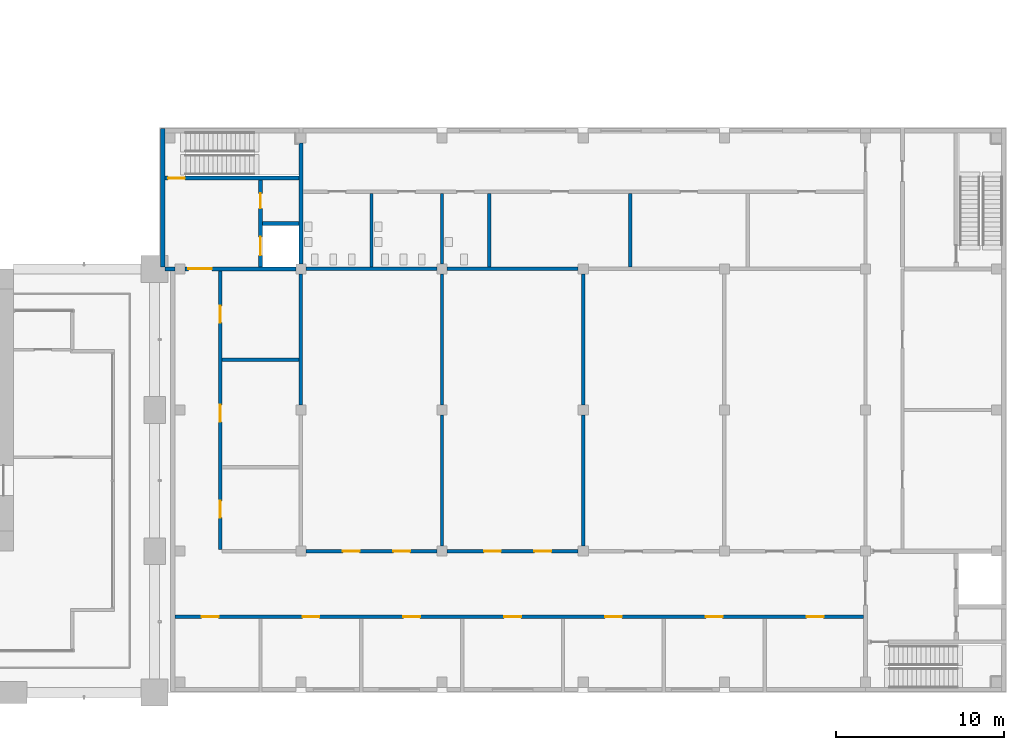
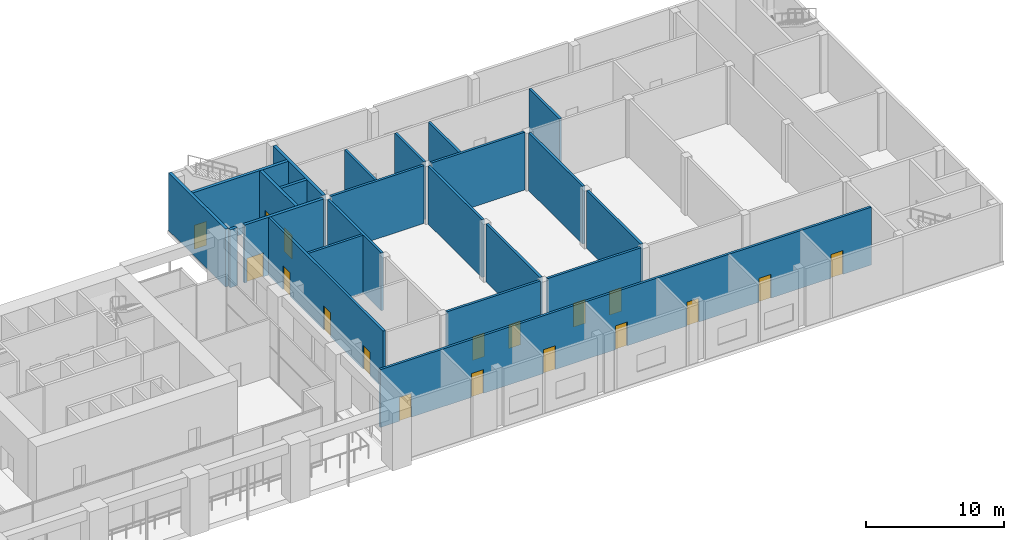
# One storey, part 20 of 33: 23 walls, 18 doors, 18 openings.
"""IFC4 building model written with IfcOpenShell, lengths in metres."""

from ifc_helpers import new_model, si_unit, direction, frame, frame_2d, origin, place, context, subcontext, project, spatial, rectangle, extrude, material, layer, layer_set, type_object, element, fill, save


model = new_model("IFC4")

# Units and contexts
model_context = context("Model", 3, precision=1e-05, world=origin(), true_north=direction((0.0, 1.0)))
body_context = subcontext(model_context, "Body", "Model", "MODEL_VIEW")
ifc_project = project(units=[si_unit("LENGTHUNIT", "METRE"), si_unit("AREAUNIT", "SQUARE_METRE"), si_unit("VOLUMEUNIT", "CUBIC_METRE"), si_unit("PLANEANGLEUNIT", "RADIAN"), si_unit("MASSUNIT", "GRAM", prefix="KILO")], contexts=[model_context])

# Site, building, storey
site_placement = place(None, origin())
site = spatial("IfcSite", under=ifc_project, at=site_placement, CompositionType="ELEMENT")
building_placement = place(site_placement, origin())
building = spatial("IfcBuilding", under=site, at=building_placement, Name="Vermilion Gate Residences", CompositionType="ELEMENT")
storey_placement = place(building_placement, frame((0.0, 0.0, 14.39990234375)))
storey = spatial("IfcBuildingStorey", under=building, at=storey_placement, Name="L02", CompositionType="ELEMENT", Elevation=14.39990234375)

# Wall, openings, doors
ifc_material_1 = material(Name="Masonry", Category="masonry")
ifc_layer_1 = layer(ifc_material_1, 0.199951171875)
ifc_layer_set_1 = layer_set([ifc_layer_1], Name="PARTITION 200 MASONRY EI 60 (MARKET HALL)")
wall_type_1 = type_object("IfcWallType", Name="PARTITION 200 MASONRY EI 60 (MARKET HALL)", PredefinedType="PARTITIONING", material=ifc_layer_set_1)
wall_1_placement = place(storey_placement, frame((68.39990234375, 4.5, 0.0), z_axis=(0.0, 0.0, 1.0), x_axis=(1.0, 0.0, 0.0)))
wall_1 = element("IfcWall", 1, at=wall_1_placement, inside=storey, type_object=wall_type_1, Name="Partition wall L02-8", PredefinedType="PARTITIONING", context=body_context, shape_type="SweptSolid", body=[
    extrude(rectangle(XDim=40.97509765625, YDim=0.199951171875, at=frame_2d((20.487548828125, 0.0))), origin(), (0.0, 0.0, 1.0), 5.10009765625),
])
opening_1_placement = place(wall_1_placement, frame((1.60009765625, 0.0, 0.0)))
opening_1 = element("IfcOpeningElement", 2, at=opening_1_placement, cuts=wall_1, Name="Opening DH02002", PredefinedType="OPENING", context=body_context, shape_type="SweptSolid", body=[
    extrude(rectangle(XDim=1.0, YDim=2.10009765625, at=frame_2d((0.5, 1.050048828125))), frame((0.0, 0.10986328125, 0.0), z_axis=(0.0, -1.0, 0.0), x_axis=(1.0, 0.0, 0.0)), (0.0, 0.0, 1.0), 0.219970703125),
])
opening_2_placement = place(wall_1_placement, frame((7.60009765625, 0.0, 0.0)))
opening_2 = element("IfcOpeningElement", 3, at=opening_2_placement, cuts=wall_1, Name="Opening DH02003", PredefinedType="OPENING", context=body_context, shape_type="SweptSolid", body=[
    extrude(rectangle(XDim=1.0, YDim=2.10009765625, at=frame_2d((0.5, 1.050048828125))), frame((0.0, 0.10986328125, 0.0), z_axis=(0.0, -1.0, 0.0), x_axis=(1.0, 0.0, 0.0)), (0.0, 0.0, 1.0), 0.219970703125),
])
opening_3_placement = place(wall_1_placement, frame((13.60009765625, 0.0, 0.0)))
opening_3 = element("IfcOpeningElement", 4, at=opening_3_placement, cuts=wall_1, Name="Opening DH02004", PredefinedType="OPENING", context=body_context, shape_type="SweptSolid", body=[
    extrude(rectangle(XDim=1.0, YDim=2.10009765625, at=frame_2d((0.5, 1.050048828125))), frame((0.0, 0.10986328125, 0.0), z_axis=(0.0, -1.0, 0.0), x_axis=(1.0, 0.0, 0.0)), (0.0, 0.0, 1.0), 0.219970703125),
])
opening_4_placement = place(wall_1_placement, frame((19.60009765625, 0.0, 0.0)))
opening_4 = element("IfcOpeningElement", 5, at=opening_4_placement, cuts=wall_1, Name="Opening DH02005", PredefinedType="OPENING", context=body_context, shape_type="SweptSolid", body=[
    extrude(rectangle(XDim=1.0, YDim=2.10009765625, at=frame_2d((0.5, 1.050048828125))), frame((0.0, 0.10986328125, 0.0), z_axis=(0.0, -1.0, 0.0), x_axis=(1.0, 0.0, 0.0)), (0.0, 0.0, 1.0), 0.219970703125),
])
opening_5_placement = place(wall_1_placement, frame((25.60009765625, 0.0, 0.0)))
opening_5 = element("IfcOpeningElement", 6, at=opening_5_placement, cuts=wall_1, Name="Opening DH02006", PredefinedType="OPENING", context=body_context, shape_type="SweptSolid", body=[
    extrude(rectangle(XDim=1.0, YDim=2.10009765625, at=frame_2d((0.5, 1.050048828125))), frame((0.0, 0.10986328125, 0.0), z_axis=(0.0, -1.0, 0.0), x_axis=(1.0, 0.0, 0.0)), (0.0, 0.0, 1.0), 0.219970703125),
])
opening_6_placement = place(wall_1_placement, frame((31.60009765625, 0.0, 0.0)))
opening_6 = element("IfcOpeningElement", 7, at=opening_6_placement, cuts=wall_1, Name="Opening DH02007", PredefinedType="OPENING", context=body_context, shape_type="SweptSolid", body=[
    extrude(rectangle(XDim=1.0, YDim=2.10009765625, at=frame_2d((0.5, 1.050048828125))), frame((0.0, 0.10986328125, 0.0), z_axis=(0.0, -1.0, 0.0), x_axis=(1.0, 0.0, 0.0)), (0.0, 0.0, 1.0), 0.219970703125),
])
opening_7_placement = place(wall_1_placement, frame((37.60009765625, 0.0, 0.0)))
opening_7 = element("IfcOpeningElement", 8, at=opening_7_placement, cuts=wall_1, Name="Opening DH02008", PredefinedType="OPENING", context=body_context, shape_type="SweptSolid", body=[
    extrude(rectangle(XDim=1.0, YDim=2.10009765625, at=frame_2d((0.5, 1.050048828125))), frame((0.0, 0.10986328125, 0.0), z_axis=(0.0, -1.0, 0.0), x_axis=(1.0, 0.0, 0.0)), (0.0, 0.0, 1.0), 0.219970703125),
])
ifc_material_2 = material(Name="Steel", Category="steel")
door_type_1 = type_object("IfcDoorType", Name="FIRE DOOR FD30 1000 X 2100 (MARKET HALL)", OperationType="SINGLE_SWING_LEFT", PredefinedType="DOOR", material=ifc_material_2)
door_1_placement = place(opening_1_placement, frame((1.0, 0.0, 0.0), z_axis=(0.0, 0.0, 1.0), x_axis=(-1.0, 0.0, 0.0)))
door_1 = element("IfcDoor", 9, at=door_1_placement, inside=storey, type_object=door_type_1, Name="Fire door DH02002", OperationType="SINGLE_SWING_RIGHT", OverallHeight=2.10009765625, OverallWidth=1.0, PredefinedType="DOOR", context=body_context, shape_type="SweptSolid", body=[
    extrude(rectangle(XDim=1.0, YDim=2.10009765625, at=frame_2d((0.5, 1.050048828125))), frame((0.0, 0.02490234375, 0.0), z_axis=(0.0, -1.0, 0.0), x_axis=(1.0, 0.0, 0.0)), (0.0, 0.0, 1.0), 0.050048828125),
])
fill(opening_1, door_1)
door_2_placement = place(opening_2_placement, frame((1.0, 0.0, 0.0), z_axis=(0.0, 0.0, 1.0), x_axis=(-1.0, 0.0, 0.0)))
door_2 = element("IfcDoor", 10, at=door_2_placement, inside=storey, type_object=door_type_1, Name="Fire door DH02003", OperationType="SINGLE_SWING_RIGHT", OverallHeight=2.10009765625, OverallWidth=1.0, PredefinedType="DOOR", context=body_context, shape_type="SweptSolid", body=[
    extrude(rectangle(XDim=1.0, YDim=2.10009765625, at=frame_2d((0.5, 1.050048828125))), frame((0.0, 0.02490234375, 0.0), z_axis=(0.0, -1.0, 0.0), x_axis=(1.0, 0.0, 0.0)), (0.0, 0.0, 1.0), 0.050048828125),
])
fill(opening_2, door_2)
door_3_placement = place(opening_3_placement, frame((1.0, 0.0, 0.0), z_axis=(0.0, 0.0, 1.0), x_axis=(-1.0, 0.0, 0.0)))
door_3 = element("IfcDoor", 11, at=door_3_placement, inside=storey, type_object=door_type_1, Name="Fire door DH02004", OperationType="SINGLE_SWING_RIGHT", OverallHeight=2.10009765625, OverallWidth=1.0, PredefinedType="DOOR", context=body_context, shape_type="SweptSolid", body=[
    extrude(rectangle(XDim=1.0, YDim=2.10009765625, at=frame_2d((0.5, 1.050048828125))), frame((0.0, 0.02490234375, 0.0), z_axis=(0.0, -1.0, 0.0), x_axis=(1.0, 0.0, 0.0)), (0.0, 0.0, 1.0), 0.050048828125),
])
fill(opening_3, door_3)
door_4_placement = place(opening_4_placement, frame((1.0, 0.0, 0.0), z_axis=(0.0, 0.0, 1.0), x_axis=(-1.0, 0.0, 0.0)))
door_4 = element("IfcDoor", 12, at=door_4_placement, inside=storey, type_object=door_type_1, Name="Fire door DH02005", OperationType="SINGLE_SWING_RIGHT", OverallHeight=2.10009765625, OverallWidth=1.0, PredefinedType="DOOR", context=body_context, shape_type="SweptSolid", body=[
    extrude(rectangle(XDim=1.0, YDim=2.10009765625, at=frame_2d((0.5, 1.050048828125))), frame((0.0, 0.02490234375, 0.0), z_axis=(0.0, -1.0, 0.0), x_axis=(1.0, 0.0, 0.0)), (0.0, 0.0, 1.0), 0.050048828125),
])
fill(opening_4, door_4)
door_5_placement = place(opening_5_placement, frame((1.0, 0.0, 0.0), z_axis=(0.0, 0.0, 1.0), x_axis=(-1.0, 0.0, 0.0)))
door_5 = element("IfcDoor", 13, at=door_5_placement, inside=storey, type_object=door_type_1, Name="Fire door DH02006", OperationType="SINGLE_SWING_RIGHT", OverallHeight=2.10009765625, OverallWidth=1.0, PredefinedType="DOOR", context=body_context, shape_type="SweptSolid", body=[
    extrude(rectangle(XDim=1.0, YDim=2.10009765625, at=frame_2d((0.5, 1.050048828125))), frame((0.0, 0.02490234375, 0.0), z_axis=(0.0, -1.0, 0.0), x_axis=(1.0, 0.0, 0.0)), (0.0, 0.0, 1.0), 0.050048828125),
])
fill(opening_5, door_5)
door_6_placement = place(opening_6_placement, frame((1.0, 0.0, 0.0), z_axis=(0.0, 0.0, 1.0), x_axis=(-1.0, 0.0, 0.0)))
door_6 = element("IfcDoor", 14, at=door_6_placement, inside=storey, type_object=door_type_1, Name="Fire door DH02007", OperationType="SINGLE_SWING_RIGHT", OverallHeight=2.10009765625, OverallWidth=1.0, PredefinedType="DOOR", context=body_context, shape_type="SweptSolid", body=[
    extrude(rectangle(XDim=1.0, YDim=2.10009765625, at=frame_2d((0.5, 1.050048828125))), frame((0.0, 0.02490234375, 0.0), z_axis=(0.0, -1.0, 0.0), x_axis=(1.0, 0.0, 0.0)), (0.0, 0.0, 1.0), 0.050048828125),
])
fill(opening_6, door_6)
door_7_placement = place(opening_7_placement, frame((1.0, 0.0, 0.0), z_axis=(0.0, 0.0, 1.0), x_axis=(-1.0, 0.0, 0.0)))
door_7 = element("IfcDoor", 15, at=door_7_placement, inside=storey, type_object=door_type_1, Name="Fire door DH02008", OperationType="SINGLE_SWING_LEFT", OverallHeight=2.10009765625, OverallWidth=1.0, PredefinedType="DOOR", context=body_context, shape_type="SweptSolid", body=[
    extrude(rectangle(XDim=1.0, YDim=2.10009765625, at=frame_2d((0.5, 1.050048828125))), frame((0.0, 0.02490234375, 0.0), z_axis=(0.0, -1.0, 0.0), x_axis=(1.0, 0.0, 0.0)), (0.0, 0.0, 1.0), 0.050048828125),
])
fill(opening_7, door_7)

wall_2_placement = place(storey_placement, frame((76.199951171875, 8.39990234375, 0.0), z_axis=(0.0, 0.0, 1.0), x_axis=(1.0, 0.0, 0.0)))
wall_2 = element("IfcWall", 16, at=wall_2_placement, inside=storey, type_object=wall_type_1, Name="Partition wall L02-11", PredefinedType="PARTITIONING", context=body_context, shape_type="SweptSolid", body=[
    extrude(rectangle(XDim=7.800048828125, YDim=0.199951171875, at=frame_2d((3.89990234375, 0.0))), origin(), (0.0, 0.0, 1.0), 5.10009765625),
])
opening_8_placement = place(wall_2_placement, frame((2.199951171875, 0.0, 0.0)))
opening_8 = element("IfcOpeningElement", 17, at=opening_8_placement, cuts=wall_2, Name="Opening DH02009", PredefinedType="OPENING", context=body_context, shape_type="SweptSolid", body=[
    extrude(rectangle(XDim=1.0, YDim=2.10009765625, at=frame_2d((0.5, 1.050048828125))), frame((0.0, 0.10986328125, 0.0), z_axis=(0.0, -1.0, 0.0), x_axis=(1.0, 0.0, 0.0)), (0.0, 0.0, 1.0), 0.219970703125),
])
opening_9_placement = place(wall_2_placement, frame((5.199951171875, 0.0, 0.0)))
opening_9 = element("IfcOpeningElement", 18, at=opening_9_placement, cuts=wall_2, Name="Opening DH02010", PredefinedType="OPENING", context=body_context, shape_type="SweptSolid", body=[
    extrude(rectangle(XDim=1.0, YDim=2.10009765625, at=frame_2d((0.5, 1.050048828125))), frame((0.0, 0.10986328125, 0.0), z_axis=(0.0, -1.0, 0.0), x_axis=(1.0, 0.0, 0.0)), (0.0, 0.0, 1.0), 0.219970703125),
])
door_8_placement = place(opening_8_placement, frame((1.0, 0.0, 0.0), z_axis=(0.0, 0.0, 1.0), x_axis=(-1.0, 0.0, 0.0)))
door_8 = element("IfcDoor", 19, at=door_8_placement, inside=storey, type_object=door_type_1, Name="Fire door DH02009", OperationType="SINGLE_SWING_RIGHT", OverallHeight=2.10009765625, OverallWidth=1.0, PredefinedType="DOOR", context=body_context, shape_type="SweptSolid", body=[
    extrude(rectangle(XDim=1.0, YDim=2.10009765625, at=frame_2d((0.5, 1.050048828125))), frame((0.0, 0.02490234375, 0.0), z_axis=(0.0, -1.0, 0.0), x_axis=(1.0, 0.0, 0.0)), (0.0, 0.0, 1.0), 0.050048828125),
])
fill(opening_8, door_8)
door_9_placement = place(opening_9_placement, frame((1.0, 0.0, 0.0), z_axis=(0.0, 0.0, 1.0), x_axis=(-1.0, 0.0, 0.0)))
door_9 = element("IfcDoor", 20, at=door_9_placement, inside=storey, type_object=door_type_1, Name="Fire door DH02010", OperationType="SINGLE_SWING_LEFT", OverallHeight=2.10009765625, OverallWidth=1.0, PredefinedType="DOOR", context=body_context, shape_type="SweptSolid", body=[
    extrude(rectangle(XDim=1.0, YDim=2.10009765625, at=frame_2d((0.5, 1.050048828125))), frame((0.0, 0.02490234375, 0.0), z_axis=(0.0, -1.0, 0.0), x_axis=(1.0, 0.0, 0.0)), (0.0, 0.0, 1.0), 0.050048828125),
])
fill(opening_9, door_9)

wall_3_placement = place(storey_placement, frame((84.60009765625, 8.39990234375, 0.0), z_axis=(0.0, 0.0, 1.0), x_axis=(1.0, 0.0, 0.0)))
wall_3 = element("IfcWall", 21, at=wall_3_placement, inside=storey, type_object=wall_type_1, Name="Partition wall L02-12", PredefinedType="PARTITIONING", context=body_context, shape_type="SweptSolid", body=[
    extrude(rectangle(XDim=7.7998046875, YDim=0.199951171875, at=frame_2d((3.89990234375, 0.0))), origin(), (0.0, 0.0, 1.0), 5.10009765625),
])
opening_10_placement = place(wall_3_placement, frame((2.199951171875, 0.0, 0.0)))
opening_10 = element("IfcOpeningElement", 22, at=opening_10_placement, cuts=wall_3, Name="Opening DH02011", PredefinedType="OPENING", context=body_context, shape_type="SweptSolid", body=[
    extrude(rectangle(XDim=1.0, YDim=2.10009765625, at=frame_2d((0.5, 1.050048828125))), frame((0.0, 0.10986328125, 0.0), z_axis=(0.0, -1.0, 0.0), x_axis=(1.0, 0.0, 0.0)), (0.0, 0.0, 1.0), 0.219970703125),
])
opening_11_placement = place(wall_3_placement, frame((5.199951171875, 0.0, 0.0)))
opening_11 = element("IfcOpeningElement", 23, at=opening_11_placement, cuts=wall_3, Name="Opening DH02012", PredefinedType="OPENING", context=body_context, shape_type="SweptSolid", body=[
    extrude(rectangle(XDim=1.0, YDim=2.10009765625, at=frame_2d((0.5, 1.050048828125))), frame((0.0, 0.10986328125, 0.0), z_axis=(0.0, -1.0, 0.0), x_axis=(1.0, 0.0, 0.0)), (0.0, 0.0, 1.0), 0.219970703125),
])
door_10_placement = place(opening_10_placement, frame((1.0, 0.0, 0.0), z_axis=(0.0, 0.0, 1.0), x_axis=(-1.0, 0.0, 0.0)))
door_10 = element("IfcDoor", 24, at=door_10_placement, inside=storey, type_object=door_type_1, Name="Fire door DH02011", OperationType="SINGLE_SWING_RIGHT", OverallHeight=2.10009765625, OverallWidth=1.0, PredefinedType="DOOR", context=body_context, shape_type="SweptSolid", body=[
    extrude(rectangle(XDim=1.0, YDim=2.10009765625, at=frame_2d((0.5, 1.050048828125))), frame((0.0, 0.02490234375, 0.0), z_axis=(0.0, -1.0, 0.0), x_axis=(1.0, 0.0, 0.0)), (0.0, 0.0, 1.0), 0.050048828125),
])
fill(opening_10, door_10)
door_11_placement = place(opening_11_placement, frame((1.0, 0.0, 0.0), z_axis=(0.0, 0.0, 1.0), x_axis=(-1.0, 0.0, 0.0)))
door_11 = element("IfcDoor", 25, at=door_11_placement, inside=storey, type_object=door_type_1, Name="Fire door DH02012", OperationType="SINGLE_SWING_LEFT", OverallHeight=2.10009765625, OverallWidth=1.0, PredefinedType="DOOR", context=body_context, shape_type="SweptSolid", body=[
    extrude(rectangle(XDim=1.0, YDim=2.10009765625, at=frame_2d((0.5, 1.050048828125))), frame((0.0, 0.02490234375, 0.0), z_axis=(0.0, -1.0, 0.0), x_axis=(1.0, 0.0, 0.0)), (0.0, 0.0, 1.0), 0.050048828125),
])
fill(opening_11, door_11)

# Walls
wall_4_placement = place(storey_placement, frame((71.199951171875, 19.800048828125, 0.0), z_axis=(0.0, 0.0, 1.0), x_axis=(1.0, 0.0, 0.0)))
element("IfcWall", 26, at=wall_4_placement, inside=storey, type_object=wall_type_1, Name="Partition wall L02-18", PredefinedType="PARTITIONING", context=body_context, shape_type="SweptSolid", body=[
    extrude(rectangle(XDim=4.60009765625, YDim=0.199951171875, at=frame_2d((2.300048828125, 0.0))), origin(), (0.0, 0.0, 1.0), 5.10009765625),
])
wall_5_placement = place(storey_placement, frame((76.199951171875, 25.199951171875, 0.0), z_axis=(0.0, 0.0, 1.0), x_axis=(1.0, 0.0, 0.0)))
element("IfcWall", 27, at=wall_5_placement, inside=storey, type_object=wall_type_1, Name="Partition wall L02-21", PredefinedType="PARTITIONING", context=body_context, shape_type="SweptSolid", body=[
    extrude(rectangle(XDim=7.800048828125, YDim=0.199951171875, at=frame_2d((3.89990234375, 0.0))), origin(), (0.0, 0.0, 1.0), 5.10009765625),
])
wall_6_placement = place(storey_placement, frame((84.60009765625, 25.199951171875, 0.0), z_axis=(0.0, 0.0, 1.0), x_axis=(1.0, 0.0, 0.0)))
element("IfcWall", 28, at=wall_6_placement, inside=storey, type_object=wall_type_1, Name="Partition wall L02-22", PredefinedType="PARTITIONING", context=body_context, shape_type="SweptSolid", body=[
    extrude(rectangle(XDim=7.7998046875, YDim=0.199951171875, at=frame_2d((3.89990234375, 0.0))), origin(), (0.0, 0.0, 1.0), 5.10009765625),
])

# Wall, openings, doors
wall_7_placement = place(storey_placement, frame((71.10009765625, 8.5, 0.0), z_axis=(0.0, 0.0, 1.0), x_axis=(0.0, 1.0, 0.0)))
wall_7 = element("IfcWall", 29, at=wall_7_placement, inside=storey, type_object=wall_type_1, Name="Partition wall L02-38", PredefinedType="PARTITIONING", context=body_context, shape_type="SweptSolid", body=[
    extrude(rectangle(XDim=16.574951171875, YDim=0.199951171875, at=frame_2d((8.28759765625, 0.0))), origin(), (0.0, 0.0, 1.0), 5.10009765625),
])
opening_12_placement = place(wall_7_placement, frame((1.89990234375, 0.0, 0.0)))
opening_12 = element("IfcOpeningElement", 30, at=opening_12_placement, cuts=wall_7, Name="Opening DH02027", PredefinedType="OPENING", context=body_context, shape_type="SweptSolid", body=[
    extrude(rectangle(XDim=1.0, YDim=2.10009765625, at=frame_2d((0.5, 1.050048828125))), frame((0.0, 0.10986328125, 0.0), z_axis=(0.0, -1.0, 0.0), x_axis=(1.0, 0.0, 0.0)), (0.0, 0.0, 1.0), 0.219970703125),
])
opening_13_placement = place(wall_7_placement, frame((7.60009765625, 0.0, 0.0)))
opening_13 = element("IfcOpeningElement", 31, at=opening_13_placement, cuts=wall_7, Name="Opening DH02028", PredefinedType="OPENING", context=body_context, shape_type="SweptSolid", body=[
    extrude(rectangle(XDim=1.0, YDim=2.10009765625, at=frame_2d((0.5, 1.050048828125))), frame((0.0, 0.10986328125, 0.0), z_axis=(0.0, -1.0, 0.0), x_axis=(1.0, 0.0, 0.0)), (0.0, 0.0, 1.0), 0.219970703125),
])
opening_14_placement = place(wall_7_placement, frame((13.5, 0.0, 0.0)))
opening_14 = element("IfcOpeningElement", 32, at=opening_14_placement, cuts=wall_7, Name="Opening DH02029", PredefinedType="OPENING", context=body_context, shape_type="SweptSolid", body=[
    extrude(rectangle(XDim=1.0, YDim=2.10009765625, at=frame_2d((0.5, 1.050048828125))), frame((0.0, 0.10986328125, 0.0), z_axis=(0.0, -1.0, 0.0), x_axis=(1.0, 0.0, 0.0)), (0.0, 0.0, 1.0), 0.219970703125),
])
door_12_placement = place(opening_12_placement, frame((1.0, 0.0, 0.0), z_axis=(0.0, 0.0, 1.0), x_axis=(-1.0, 0.0, 0.0)))
door_12 = element("IfcDoor", 33, at=door_12_placement, inside=storey, type_object=door_type_1, Name="Fire door DH02027", OperationType="SINGLE_SWING_RIGHT", OverallHeight=2.10009765625, OverallWidth=1.0, PredefinedType="DOOR", context=body_context, shape_type="SweptSolid", body=[
    extrude(rectangle(XDim=1.0, YDim=2.10009765625, at=frame_2d((0.5, 1.050048828125))), frame((0.0, 0.02490234375, 0.0), z_axis=(0.0, -1.0, 0.0), x_axis=(1.0, 0.0, 0.0)), (0.0, 0.0, 1.0), 0.050048828125),
])
fill(opening_12, door_12)
door_13_placement = place(opening_13_placement, frame((1.0, 0.0, 0.0), z_axis=(0.0, 0.0, 1.0), x_axis=(-1.0, 0.0, 0.0)))
door_13 = element("IfcDoor", 34, at=door_13_placement, inside=storey, type_object=door_type_1, Name="Fire door DH02028", OperationType="SINGLE_SWING_LEFT", OverallHeight=2.10009765625, OverallWidth=1.0, PredefinedType="DOOR", context=body_context, shape_type="SweptSolid", body=[
    extrude(rectangle(XDim=1.0, YDim=2.10009765625, at=frame_2d((0.5, 1.050048828125))), frame((0.0, 0.02490234375, 0.0), z_axis=(0.0, -1.0, 0.0), x_axis=(1.0, 0.0, 0.0)), (0.0, 0.0, 1.0), 0.050048828125),
])
fill(opening_13, door_13)
door_14_placement = place(opening_14_placement, frame((1.0, 0.0, 0.0), z_axis=(0.0, 0.0, 1.0), x_axis=(-1.0, 0.0, 0.0)))
door_14 = element("IfcDoor", 35, at=door_14_placement, inside=storey, type_object=door_type_1, Name="Fire door DH02029", OperationType="SINGLE_SWING_LEFT", OverallHeight=2.10009765625, OverallWidth=1.0, PredefinedType="DOOR", context=body_context, shape_type="SweptSolid", body=[
    extrude(rectangle(XDim=1.0, YDim=2.10009765625, at=frame_2d((0.5, 1.050048828125))), frame((0.0, 0.02490234375, 0.0), z_axis=(0.0, -1.0, 0.0), x_axis=(1.0, 0.0, 0.0)), (0.0, 0.0, 1.0), 0.050048828125),
])
fill(opening_14, door_14)

# Walls
wall_8_placement = place(storey_placement, frame((75.89990234375, 17.10009765625, 0.0), z_axis=(0.0, 0.0, 1.0), x_axis=(0.0, 1.0, 0.0)))
element("IfcWall", 36, at=wall_8_placement, inside=storey, type_object=wall_type_1, Name="Partition wall L02-42", PredefinedType="PARTITIONING", context=body_context, shape_type="SweptSolid", body=[
    extrude(rectangle(XDim=7.7998046875, YDim=0.199951171875, at=frame_2d((3.89990234375, 0.0))), origin(), (0.0, 0.0, 1.0), 5.10009765625),
])
wall_9_placement = place(storey_placement, frame((80.10009765625, 25.300048828125, 0.0), z_axis=(0.0, 0.0, 1.0), x_axis=(0.0, 1.0, 0.0)))
element("IfcWall", 37, at=wall_9_placement, inside=storey, type_object=wall_type_1, Name="Partition wall L02-46", PredefinedType="PARTITIONING", context=body_context, shape_type="SweptSolid", body=[
    extrude(rectangle(XDim=4.39990234375, YDim=0.199951171875, at=frame_2d((2.199951171875, 0.0))), origin(), (0.0, 0.0, 1.0), 5.10009765625),
])
wall_10_placement = place(storey_placement, frame((84.300048828125, 8.699951171875, 0.0), z_axis=(0.0, 0.0, 1.0), x_axis=(0.0, 1.0, 0.0)))
element("IfcWall", 38, at=wall_10_placement, inside=storey, type_object=wall_type_1, Name="Partition wall L02-47", PredefinedType="PARTITIONING", context=body_context, shape_type="SweptSolid", body=[
    extrude(rectangle(XDim=7.800048828125, YDim=0.199951171875, at=frame_2d((3.89990234375, 0.0))), origin(), (0.0, 0.0, 1.0), 5.10009765625),
])
wall_11_placement = place(storey_placement, frame((84.300048828125, 17.10009765625, 0.0), z_axis=(0.0, 0.0, 1.0), x_axis=(0.0, 1.0, 0.0)))
element("IfcWall", 39, at=wall_11_placement, inside=storey, type_object=wall_type_1, Name="Partition wall L02-48", PredefinedType="PARTITIONING", context=body_context, shape_type="SweptSolid", body=[
    extrude(rectangle(XDim=7.7998046875, YDim=0.199951171875, at=frame_2d((3.89990234375, 0.0))), origin(), (0.0, 0.0, 1.0), 5.10009765625),
])
wall_12_placement = place(storey_placement, frame((84.300048828125, 25.5, 0.0), z_axis=(0.0, 0.0, 1.0), x_axis=(0.0, 1.0, 0.0)))
element("IfcWall", 40, at=wall_12_placement, inside=storey, type_object=wall_type_1, Name="Partition wall L02-49", PredefinedType="PARTITIONING", context=body_context, shape_type="SweptSolid", body=[
    extrude(rectangle(XDim=4.199951171875, YDim=0.199951171875, at=frame_2d((2.10009765625, 0.0))), origin(), (0.0, 0.0, 1.0), 5.10009765625),
])
wall_13_placement = place(storey_placement, frame((87.10009765625, 25.300048828125, 0.0), z_axis=(0.0, 0.0, 1.0), x_axis=(0.0, 1.0, 0.0)))
element("IfcWall", 41, at=wall_13_placement, inside=storey, type_object=wall_type_1, Name="Partition wall L02-51", PredefinedType="PARTITIONING", context=body_context, shape_type="SweptSolid", body=[
    extrude(rectangle(XDim=4.39990234375, YDim=0.199951171875, at=frame_2d((2.199951171875, 0.0))), origin(), (0.0, 0.0, 1.0), 5.10009765625),
])
wall_14_placement = place(storey_placement, frame((92.699951171875, 8.699951171875, 0.0), z_axis=(0.0, 0.0, 1.0), x_axis=(0.0, 1.0, 0.0)))
element("IfcWall", 42, at=wall_14_placement, inside=storey, type_object=wall_type_1, Name="Partition wall L02-53", PredefinedType="PARTITIONING", context=body_context, shape_type="SweptSolid", body=[
    extrude(rectangle(XDim=7.800048828125, YDim=0.199951171875, at=frame_2d((3.89990234375, 0.0))), origin(), (0.0, 0.0, 1.0), 5.10009765625),
])
wall_15_placement = place(storey_placement, frame((92.699951171875, 17.10009765625, 0.0), z_axis=(0.0, 0.0, 1.0), x_axis=(0.0, 1.0, 0.0)))
element("IfcWall", 43, at=wall_15_placement, inside=storey, type_object=wall_type_1, Name="Partition wall L02-54", PredefinedType="PARTITIONING", context=body_context, shape_type="SweptSolid", body=[
    extrude(rectangle(XDim=7.7998046875, YDim=0.199951171875, at=frame_2d((3.89990234375, 0.0))), origin(), (0.0, 0.0, 1.0), 5.10009765625),
])
wall_16_placement = place(storey_placement, frame((95.5, 25.300048828125, 0.0), z_axis=(0.0, 0.0, 1.0), x_axis=(0.0, 1.0, 0.0)))
element("IfcWall", 44, at=wall_16_placement, inside=storey, type_object=wall_type_1, Name="Partition wall L02-55", PredefinedType="PARTITIONING", context=body_context, shape_type="SweptSolid", body=[
    extrude(rectangle(XDim=4.39990234375, YDim=0.199951171875, at=frame_2d((2.199951171875, 0.0))), origin(), (0.0, 0.0, 1.0), 5.10009765625),
])
ifc_material_3 = material(Name="Concrete C45", Category="concrete")
ifc_layer_2 = layer(ifc_material_3, 0.25)
ifc_layer_set_2 = layer_set([ifc_layer_2], Name="RC CORE WALL 250 C45 (MARKET HALL)")
wall_type_2 = type_object("IfcWallType", Name="RC CORE WALL 250 C45 (MARKET HALL)", PredefinedType="SHEAR", material=ifc_layer_set_2)
wall_17_placement = place(storey_placement, frame((67.800048828125, 25.199951171875, 0.0), z_axis=(0.0, 0.0, 1.0), x_axis=(1.0, 0.0, 0.0)))
element("IfcWall", 45, at=wall_17_placement, inside=storey, type_object=wall_type_2, Name="Core wall L02-19", PredefinedType="SHEAR", context=body_context, shape_type="SweptSolid", body=[
    extrude(rectangle(XDim=0.599853515625, YDim=0.25, at=frame_2d((0.2998046875, 0.0))), origin(), (0.0, 0.0, 1.0), 5.10009765625),
])

# Wall, opening, door
wall_18_placement = place(storey_placement, frame((69.0, 25.199951171875, 0.0), z_axis=(0.0, 0.0, 1.0), x_axis=(1.0, 0.0, 0.0)))
wall_18 = element("IfcWall", 46, at=wall_18_placement, inside=storey, type_object=wall_type_2, Name="Core wall L02-20", PredefinedType="SHEAR", context=body_context, shape_type="SweptSolid", body=[
    extrude(rectangle(XDim=6.60009765625, YDim=0.25, at=frame_2d((3.300048828125, 0.0))), origin(), (0.0, 0.0, 1.0), 5.10009765625),
])
opening_15_placement = place(wall_18_placement, frame((0.199951171875, 0.0, 0.0)))
opening_15 = element("IfcOpeningElement", 47, at=opening_15_placement, cuts=wall_18, Name="Opening DH02030", PredefinedType="OPENING", context=body_context, shape_type="SweptSolid", body=[
    extrude(rectangle(XDim=1.39990234375, YDim=2.10009765625, at=frame_2d((0.699951171875, 1.050048828125))), frame((0.0, 0.135009765625, 0.0), z_axis=(0.0, -1.0, 0.0), x_axis=(1.0, 0.0, 0.0)), (0.0, 0.0, 1.0), 0.27001953125),
])
ifc_material_4 = material(Name="Steel", Category="steel")
door_type_2 = type_object("IfcDoorType", Name="FIRE DOOR FD60 1400 X 2100 DOUBLE (MARKET HALL)", OperationType="DOUBLE_DOOR_SINGLE_SWING", PredefinedType="DOOR", material=ifc_material_4)
door_15_placement = place(opening_15_placement, origin())
door_15 = element("IfcDoor", 48, at=door_15_placement, inside=storey, type_object=door_type_2, Name="Lobby fire door DH02030", OperationType="DOUBLE_DOOR_SINGLE_SWING", OverallHeight=2.10009765625, OverallWidth=1.39990234375, PredefinedType="DOOR", context=body_context, shape_type="SweptSolid", body=[
    extrude(rectangle(XDim=1.39990234375, YDim=2.10009765625, at=frame_2d((0.699951171875, 1.050048828125))), frame((0.0, 0.02490234375, 0.0), z_axis=(0.0, -1.0, 0.0), x_axis=(1.0, 0.0, 0.0)), (0.0, 0.0, 1.0), 0.050048828125),
])
fill(opening_15, door_15)

# Wall
wall_19_placement = place(storey_placement, frame((73.625, 27.89990234375, 0.0), z_axis=(0.0, 0.0, 1.0), x_axis=(1.0, 0.0, 0.0)))
element("IfcWall", 49, at=wall_19_placement, inside=storey, type_object=wall_type_2, Name="Core wall L02-26", PredefinedType="SHEAR", context=body_context, shape_type="SweptSolid", body=[
    extrude(rectangle(XDim=2.14990234375, YDim=0.25, at=frame_2d((1.074951171875, 0.0))), origin(), (0.0, 0.0, 1.0), 5.10009765625),
])

# Wall, opening, door
wall_20_placement = place(storey_placement, frame((67.800048828125, 30.60009765625, 0.0), z_axis=(0.0, 0.0, 1.0), x_axis=(1.0, 0.0, 0.0)))
wall_20 = element("IfcWall", 50, at=wall_20_placement, inside=storey, type_object=wall_type_2, Name="Core wall L02-28", PredefinedType="SHEAR", context=body_context, shape_type="SweptSolid", body=[
    extrude(rectangle(XDim=7.974853515625, YDim=0.25, at=frame_2d((3.9873046875, 0.0))), origin(), (0.0, 0.0, 1.0), 5.10009765625),
])
opening_16_placement = place(wall_20_placement, frame((0.199951171875, 0.0, 0.0)))
opening_16 = element("IfcOpeningElement", 51, at=opening_16_placement, cuts=wall_20, Name="Opening DH02033", PredefinedType="OPENING", context=body_context, shape_type="SweptSolid", body=[
    extrude(rectangle(XDim=1.0, YDim=2.10009765625, at=frame_2d((0.5, 1.050048828125))), frame((0.0, 0.135009765625, 0.0), z_axis=(0.0, -1.0, 0.0), x_axis=(1.0, 0.0, 0.0)), (0.0, 0.0, 1.0), 0.27001953125),
])
ifc_material_5 = material(Name="Steel", Category="steel")
door_type_3 = type_object("IfcDoorType", Name="STAIR DOOR FD60 1000 X 2100 (MARKET HALL)", OperationType="SINGLE_SWING_LEFT", PredefinedType="DOOR", material=ifc_material_5)
door_16_placement = place(opening_16_placement, origin())
door_16 = element("IfcDoor", 52, at=door_16_placement, inside=storey, type_object=door_type_3, Name="Stair door DH02033", OperationType="SINGLE_SWING_RIGHT", OverallHeight=2.10009765625, OverallWidth=1.0, PredefinedType="DOOR", context=body_context, shape_type="SweptSolid", body=[
    extrude(rectangle(XDim=1.0, YDim=2.10009765625, at=frame_2d((0.5, 1.050048828125))), frame((0.0, 0.02490234375, 0.0), z_axis=(0.0, -1.0, 0.0), x_axis=(1.0, 0.0, 0.0)), (0.0, 0.0, 1.0), 0.050048828125),
])
fill(opening_16, door_16)

# Wall
wall_21_placement = place(storey_placement, frame((67.675048828125, 25.324951171875, 0.0), z_axis=(0.0, 0.0, 1.0), x_axis=(0.0, 1.0, 0.0)))
element("IfcWall", 53, at=wall_21_placement, inside=storey, type_object=wall_type_2, Name="Core wall L02-36", PredefinedType="SHEAR", context=body_context, shape_type="SweptSolid", body=[
    extrude(rectangle(XDim=8.22509765625, YDim=0.25, at=frame_2d((4.112548828125, 0.0))), origin(), (0.0, 0.0, 1.0), 5.10009765625),
])

# Wall, openings, doors
wall_22_placement = place(storey_placement, frame((73.5, 25.324951171875, 0.0), z_axis=(0.0, 0.0, 1.0), x_axis=(0.0, 1.0, 0.0)))
wall_22 = element("IfcWall", 54, at=wall_22_placement, inside=storey, type_object=wall_type_2, Name="Core wall L02-40", PredefinedType="SHEAR", context=body_context, shape_type="SweptSolid", body=[
    extrude(rectangle(XDim=5.150146484375, YDim=0.25, at=frame_2d((2.5751953125, 0.0))), origin(), (0.0, 0.0, 1.0), 5.10009765625),
])
opening_17_placement = place(wall_22_placement, frame((0.675048828125, 0.0, 0.0)))
opening_17 = element("IfcOpeningElement", 55, at=opening_17_placement, cuts=wall_22, Name="Opening LD", PredefinedType="OPENING", context=body_context, shape_type="SweptSolid", body=[
    extrude(rectangle(XDim=1.10009765625, YDim=2.10009765625, at=frame_2d((0.550048828125, 1.050048828125))), frame((0.0, 0.135009765625, 0.0), z_axis=(0.0, -1.0, 0.0), x_axis=(1.0, 0.0, 0.0)), (0.0, 0.0, 1.0), 0.27001953125),
])
opening_18_placement = place(wall_22_placement, frame((3.47509765625, 0.0, 0.0)))
opening_18 = element("IfcOpeningElement", 56, at=opening_18_placement, cuts=wall_22, Name="Opening DH02035", PredefinedType="OPENING", context=body_context, shape_type="SweptSolid", body=[
    extrude(rectangle(XDim=0.89990234375, YDim=2.10009765625, at=frame_2d((0.449951171875, 1.050048828125))), frame((0.0, 0.135009765625, 0.0), z_axis=(0.0, -1.0, 0.0), x_axis=(1.0, 0.0, 0.0)), (0.0, 0.0, 1.0), 0.27001953125),
])
ifc_material_6 = material(Name="Steel", Category="steel")
door_type_4 = type_object("IfcDoorType", Name="FIRE DOOR FD60 900 X 2100 (MARKET HALL)", OperationType="SINGLE_SWING_LEFT", PredefinedType="DOOR", material=ifc_material_6)
door_17_placement = place(opening_18_placement, frame((0.89990234375, 0.0, 0.0), z_axis=(0.0, 0.0, 1.0), x_axis=(-1.0, 0.0, 0.0)))
door_17 = element("IfcDoor", 57, at=door_17_placement, inside=storey, type_object=door_type_4, Name="Lobby fire door DH02035", OperationType="SINGLE_SWING_RIGHT", OverallHeight=2.10009765625, OverallWidth=0.89990234375, PredefinedType="DOOR", context=body_context, shape_type="SweptSolid", body=[
    extrude(rectangle(XDim=0.89990234375, YDim=2.10009765625, at=frame_2d((0.449951171875, 1.050048828125))), frame((0.0, 0.02490234375, 0.0), z_axis=(0.0, -1.0, 0.0), x_axis=(1.0, 0.0, 0.0)), (0.0, 0.0, 1.0), 0.050048828125),
])
fill(opening_18, door_17)
ifc_material_7 = material(Name="Stainless steel", Category="steel")
door_type_5 = type_object("IfcDoorType", Name="LIFT LANDING DOOR 1100 X 2100 (MARKET HALL)", OperationType="SLIDING_TO_LEFT", PredefinedType="DOOR", material=ifc_material_7)
door_18_placement = place(opening_17_placement, origin())
door_18 = element("IfcDoor", 58, at=door_18_placement, inside=storey, type_object=door_type_5, Name="Lift landing door L02-34", OperationType="SLIDING_TO_LEFT", OverallHeight=2.10009765625, OverallWidth=1.10009765625, PredefinedType="DOOR", context=body_context, shape_type="SweptSolid", body=[
    extrude(rectangle(XDim=1.10009765625, YDim=2.10009765625, at=frame_2d((0.550048828125, 1.050048828125))), frame((0.0, 0.02490234375, 0.0), z_axis=(0.0, -1.0, 0.0), x_axis=(1.0, 0.0, 0.0)), (0.0, 0.0, 1.0), 0.050048828125),
])
fill(opening_17, door_18)

# Wall
wall_23_placement = place(storey_placement, frame((75.89990234375, 25.5, 0.0), z_axis=(0.0, 0.0, 1.0), x_axis=(0.0, 1.0, 0.0)))
element("IfcWall", 59, at=wall_23_placement, inside=storey, type_object=wall_type_2, Name="Core wall L02-43", PredefinedType="SHEAR", context=body_context, shape_type="SweptSolid", body=[
    extrude(rectangle(XDim=7.199951171875, YDim=0.25, at=frame_2d((3.60009765625, 0.0))), origin(), (0.0, 0.0, 1.0), 5.10009765625),
])

save(model, "model.ifc")
